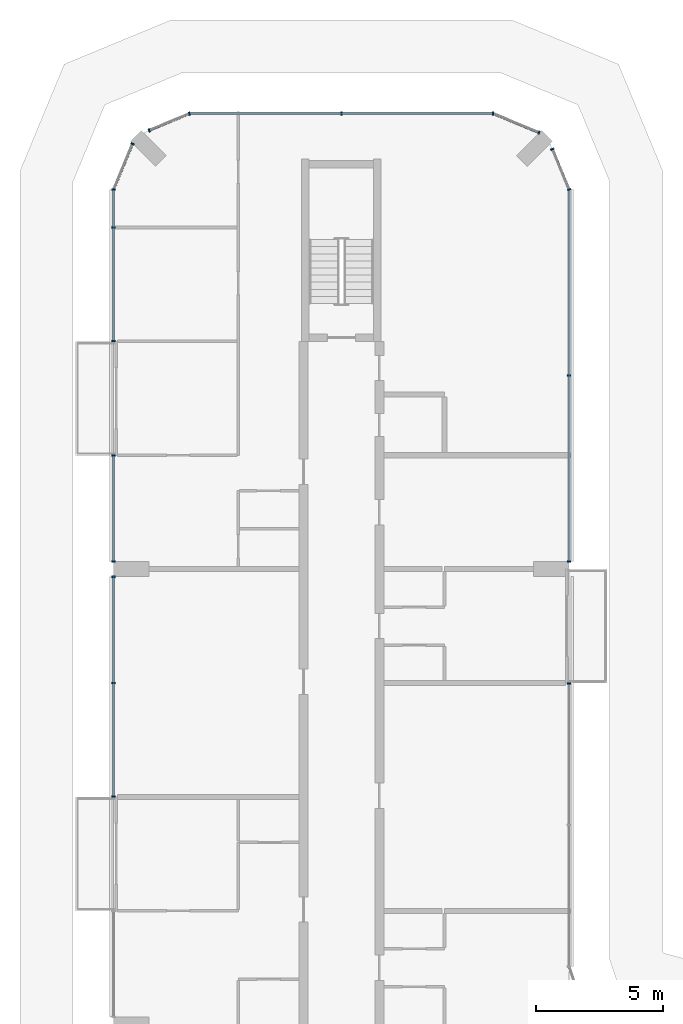
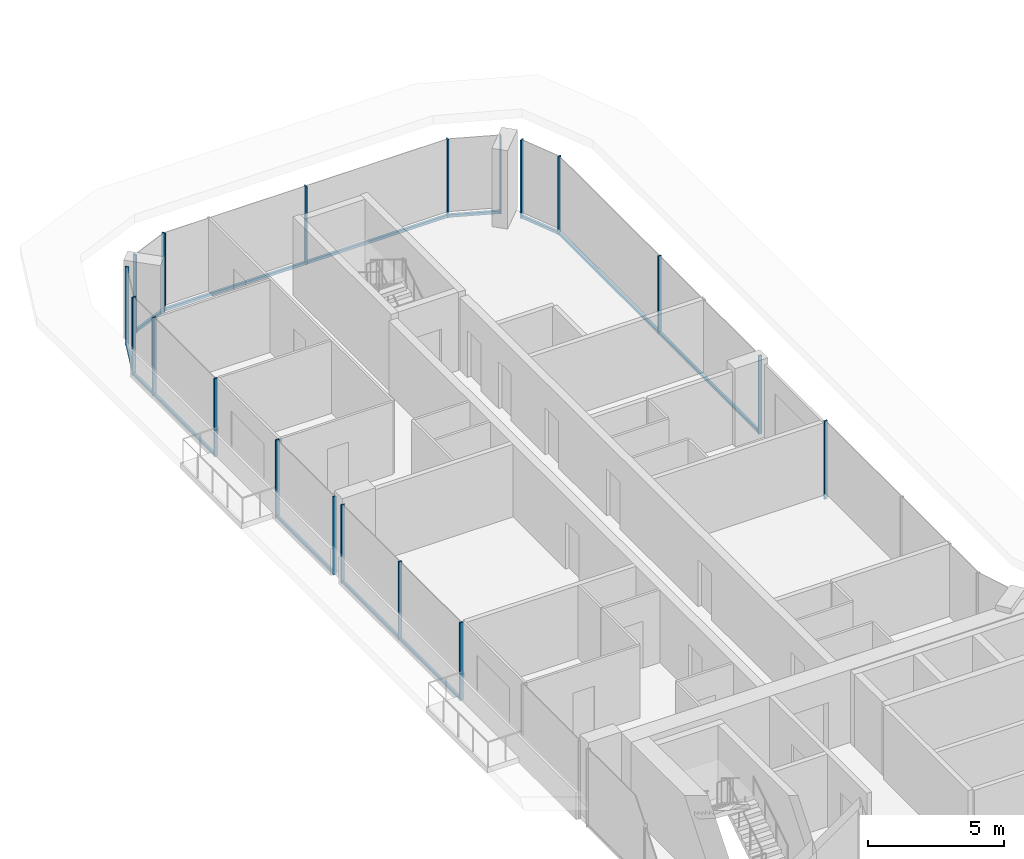
# One storey, part 6 of 24: 28 members, 10 elements without a shape of their own.
"""IFC4 building model written with IfcOpenShell, lengths in metres."""

from ifc_helpers import new_model, si_unit, direction, frame, origin, origin_2d, place, context, subcontext, project, spatial, rectangle, extrude, material, layer, layer_set, material_profile, profile_set, type_object, element, aggregate, save


model = new_model("IFC4")

# Units and contexts
model_context = context("Model", 3, precision=1e-05, world=origin(), true_north=direction((0.0, 1.0)))
body_context = subcontext(model_context, "Body", "Model", "MODEL_VIEW")
ifc_project = project(units=[si_unit("LENGTHUNIT", "METRE"), si_unit("AREAUNIT", "SQUARE_METRE"), si_unit("VOLUMEUNIT", "CUBIC_METRE"), si_unit("PLANEANGLEUNIT", "RADIAN"), si_unit("MASSUNIT", "GRAM", prefix="KILO")], contexts=[model_context])

# Site, building, storey
site_placement = place(None, origin())
site = spatial("IfcSite", under=ifc_project, at=site_placement, CompositionType="ELEMENT")
building_placement = place(site_placement, origin())
building = spatial("IfcBuilding", under=site, at=building_placement, Name="Plateau Cross Towers", CompositionType="ELEMENT")
storey_placement = place(building_placement, frame((0.0, 0.0, 30.300048828125)))
storey = spatial("IfcBuildingStorey", under=building, at=storey_placement, Name="L06", CompositionType="ELEMENT", Elevation=30.300048828125)

# Curtain wall, member
ifc_material_1 = material(Name="Dark low-iron glass", Category="glass")
ifc_layer = layer(ifc_material_1, 0.239990234375)
ifc_layer_set = layer_set([ifc_layer], Name="Dark low-iron glass")
curtain_wall_type = type_object("IfcCurtainWallType", Name="Curtain wall flush unitised CW-B", PredefinedType="NOTDEFINED", material=ifc_layer_set)
curtain_wall_1_placement = place(storey_placement, origin())
curtain_wall_1 = element("IfcCurtainWall", 1, at=curtain_wall_1_placement, inside=storey, type_object=curtain_wall_type, Name="ENV/A/L06/A180_203", PredefinedType="NOTDEFINED")
ifc_material_2 = material(Name="Black anodised aluminium", Category="aluminium")
ifc_material_profile_1 = material_profile(ifc_material_2, rectangle(XDim=0.06005859375, YDim=0.139892578125, at=origin_2d()), Name="MULLION 60x140")
ifc_profile_set_1 = profile_set([ifc_material_profile_1], Name="Black anodised aluminium")
member_type_1 = type_object("IfcMemberType", Name="Mullion 60x140 flush unitised", PredefinedType="MULLION", material=ifc_profile_set_1)
member_1_placement = place(storey_placement, frame((18.0, 31.489990234375, -0.25), z_axis=(0.0, 0.0, 1.0), x_axis=(0.0, 1.0, 0.0)))
member_1 = element("IfcMember", 2, at=member_1_placement, type_object=member_type_1, Name="CW-B mullion 3", PredefinedType="MULLION", context=body_context, shape_type="SweptSolid", body=[
    extrude(rectangle(XDim=0.06005859375, YDim=0.139892578125, at=origin_2d()), origin(), (0.0, 0.0, 1.0), 3.5),
])
aggregate(curtain_wall_1, [member_1])

# Curtain wall, members
curtain_wall_2_placement = place(storey_placement, origin())
curtain_wall_2 = element("IfcCurtainWall", 3, at=curtain_wall_2_placement, inside=storey, type_object=curtain_wall_type, Name="ENV/A/L06/A180_363", PredefinedType="NOTDEFINED")
member_2_placement = place(storey_placement, frame((18.0, 36.300048828125, -0.25), z_axis=(0.0, 0.0, 1.0), x_axis=(0.0, 1.0, 0.0)))
member_2 = element("IfcMember", 4, at=member_2_placement, type_object=member_type_1, Name="CW-B mullion 1", PredefinedType="MULLION", context=body_context, shape_type="SweptSolid", body=[
    extrude(rectangle(XDim=0.06005859375, YDim=0.139892578125, at=origin_2d()), origin(), (0.0, 0.0, 1.0), 3.5),
])
member_3_placement = place(storey_placement, frame((18.0, 43.64990234375, -0.25), z_axis=(0.0, 0.0, 1.0), x_axis=(0.0, 1.0, 0.0)))
member_3 = element("IfcMember", 5, at=member_3_placement, type_object=member_type_1, Name="CW-B mullion 2", PredefinedType="MULLION", context=body_context, shape_type="SweptSolid", body=[
    extrude(rectangle(XDim=0.06005859375, YDim=0.139892578125, at=origin_2d()), origin(), (0.0, 0.0, 1.0), 3.5),
])

curtain_wall_3_placement = place(storey_placement, origin())
curtain_wall_3 = element("IfcCurtainWall", 6, at=curtain_wall_3_placement, inside=storey, type_object=curtain_wall_type, Name="ENV/A/L06/A180_510", PredefinedType="NOTDEFINED")
member_4_placement = place(storey_placement, frame((18.0, 51.0, -0.25), z_axis=(0.0, 0.0, 1.0), x_axis=(-0.382683612978, 0.923879457699, 0.0)))
member_4 = element("IfcMember", 7, at=member_4_placement, type_object=member_type_1, Name="CW-B mullion 1", PredefinedType="MULLION", context=body_context, shape_type="SweptSolid", body=[
    extrude(rectangle(XDim=0.06005859375, YDim=0.139892578125, at=origin_2d()), origin(), (0.0, 0.0, 1.0), 3.5),
])
member_5_placement = place(storey_placement, frame((17.338623046875, 52.5966796875, -0.25), z_axis=(0.0, 0.0, 1.0), x_axis=(-0.382683612978, 0.923879457699, 0.0)))
member_5 = element("IfcMember", 8, at=member_5_placement, type_object=member_type_1, Name="CW-B mullion 2", PredefinedType="MULLION", context=body_context, shape_type="SweptSolid", body=[
    extrude(rectangle(XDim=0.06005859375, YDim=0.139892578125, at=origin_2d()), origin(), (0.0, 0.0, 1.0), 3.5),
])

# Curtain wall, member
curtain_wall_4_placement = place(storey_placement, origin())
curtain_wall_4 = element("IfcCurtainWall", 9, at=curtain_wall_4_placement, inside=storey, type_object=curtain_wall_type, Name="ENV/A/L06/A168_533", PredefinedType="NOTDEFINED")
member_6_placement = place(storey_placement, frame((16.805908203125, 53.251953125, -0.25), z_axis=(0.0, 0.0, 1.0), x_axis=(-0.923879457699, 0.382683612978, 0.0)))
member_6 = element("IfcMember", 10, at=member_6_placement, type_object=member_type_1, Name="CW-B mullion 1", PredefinedType="MULLION", context=body_context, shape_type="SweptSolid", body=[
    extrude(rectangle(XDim=0.06005859375, YDim=0.139892578125, at=origin_2d()), origin(), (0.0, 0.0, 1.0), 3.5),
])

# Curtain wall, members
curtain_wall_5_placement = place(storey_placement, origin())
curtain_wall_5 = element("IfcCurtainWall", 11, at=curtain_wall_5_placement, inside=storey, type_object=curtain_wall_type, Name="ENV/A/L06/A150_540", PredefinedType="NOTDEFINED")
member_7_placement = place(storey_placement, frame((15.0, 54.0, -0.25), z_axis=(0.0, 0.0, 1.0), x_axis=(-1.0, 0.0, 0.0)))
member_7 = element("IfcMember", 12, at=member_7_placement, type_object=member_type_1, Name="CW-B mullion 1", PredefinedType="MULLION", context=body_context, shape_type="SweptSolid", body=[
    extrude(rectangle(XDim=0.06005859375, YDim=0.139892578125, at=origin_2d()), origin(), (0.0, 0.0, 1.0), 3.5),
])
member_8_placement = place(storey_placement, frame((9.0, 54.0, -0.25), z_axis=(0.0, 0.0, 1.0), x_axis=(-1.0, 0.0, 0.0)))
member_8 = element("IfcMember", 13, at=member_8_placement, type_object=member_type_1, Name="CW-B mullion 2", PredefinedType="MULLION", context=body_context, shape_type="SweptSolid", body=[
    extrude(rectangle(XDim=0.06005859375, YDim=0.139892578125, at=origin_2d()), origin(), (0.0, 0.0, 1.0), 3.5),
])

curtain_wall_6_placement = place(storey_placement, origin())
curtain_wall_6 = element("IfcCurtainWall", 14, at=curtain_wall_6_placement, inside=storey, type_object=curtain_wall_type, Name="ENV/A/L06/A30_540", PredefinedType="NOTDEFINED")
member_9_placement = place(storey_placement, frame((3.0, 54.0, -0.25), z_axis=(0.0, 0.0, 1.0), x_axis=(-0.923879457699, -0.382683612978, 0.0)))
member_9 = element("IfcMember", 15, at=member_9_placement, type_object=member_type_1, Name="CW-B mullion 1", PredefinedType="MULLION", context=body_context, shape_type="SweptSolid", body=[
    extrude(rectangle(XDim=0.06005859375, YDim=0.139892578125, at=origin_2d()), origin(), (0.0, 0.0, 1.0), 3.5),
])
member_10_placement = place(storey_placement, frame((1.4033203125, 53.338623046875, -0.25), z_axis=(0.0, 0.0, 1.0), x_axis=(-0.923879457699, -0.382683612978, 0.0)))
member_10 = element("IfcMember", 16, at=member_10_placement, type_object=member_type_1, Name="CW-B mullion 2", PredefinedType="MULLION", context=body_context, shape_type="SweptSolid", body=[
    extrude(rectangle(XDim=0.06005859375, YDim=0.139892578125, at=origin_2d()), origin(), (0.0, 0.0, 1.0), 3.5),
])

# Curtain wall, member
curtain_wall_7_placement = place(storey_placement, origin())
curtain_wall_7 = element("IfcCurtainWall", 17, at=curtain_wall_7_placement, inside=storey, type_object=curtain_wall_type, Name="ENV/A/L06/A7_528", PredefinedType="NOTDEFINED")
member_11_placement = place(storey_placement, frame((0.748046875, 52.805908203125, -0.25), z_axis=(0.0, 0.0, 1.0), x_axis=(-0.382683612978, -0.923879457699, 0.0)))
member_11 = element("IfcMember", 18, at=member_11_placement, type_object=member_type_1, Name="CW-B mullion 1", PredefinedType="MULLION", context=body_context, shape_type="SweptSolid", body=[
    extrude(rectangle(XDim=0.06005859375, YDim=0.139892578125, at=origin_2d()), origin(), (0.0, 0.0, 1.0), 3.5),
])

# Curtain wall, members
curtain_wall_8_placement = place(storey_placement, origin())
curtain_wall_8 = element("IfcCurtainWall", 19, at=curtain_wall_8_placement, inside=storey, type_object=curtain_wall_type, Name="ENV/A/L06/A0_510", PredefinedType="NOTDEFINED")
member_12_placement = place(storey_placement, frame((0.0, 51.0, -0.25), z_axis=(0.0, 0.0, 1.0), x_axis=(0.0, -1.0, 0.0)))
member_12 = element("IfcMember", 20, at=member_12_placement, type_object=member_type_1, Name="CW-B mullion 1", PredefinedType="MULLION", context=body_context, shape_type="SweptSolid", body=[
    extrude(rectangle(XDim=0.06005859375, YDim=0.139892578125, at=origin_2d()), origin(), (0.0, 0.0, 1.0), 3.5),
])
member_13_placement = place(storey_placement, frame((0.0, 49.5, -0.25), z_axis=(0.0, 0.0, 1.0), x_axis=(0.0, -1.0, 0.0)))
member_13 = element("IfcMember", 21, at=member_13_placement, type_object=member_type_1, Name="CW-B mullion 2", PredefinedType="MULLION", context=body_context, shape_type="SweptSolid", body=[
    extrude(rectangle(XDim=0.06005859375, YDim=0.139892578125, at=origin_2d()), origin(), (0.0, 0.0, 1.0), 3.5),
])
member_14_placement = place(storey_placement, frame((0.0, 45.010009765625, -0.25), z_axis=(0.0, 0.0, 1.0), x_axis=(0.0, -1.0, 0.0)))
member_14 = element("IfcMember", 22, at=member_14_placement, type_object=member_type_1, Name="CW-B mullion 3", PredefinedType="MULLION", context=body_context, shape_type="SweptSolid", body=[
    extrude(rectangle(XDim=0.06005859375, YDim=0.139892578125, at=origin_2d()), origin(), (0.0, 0.0, 1.0), 3.5),
])

curtain_wall_9_placement = place(storey_placement, origin())
curtain_wall_9 = element("IfcCurtainWall", 23, at=curtain_wall_9_placement, inside=storey, type_object=curtain_wall_type, Name="ENV/A/L06/A0_405", PredefinedType="NOTDEFINED")
member_15_placement = place(storey_placement, frame((0.0, 40.489990234375, -0.25), z_axis=(0.0, 0.0, 1.0), x_axis=(0.0, -1.0, 0.0)))
member_15 = element("IfcMember", 24, at=member_15_placement, type_object=member_type_1, Name="CW-B mullion 1", PredefinedType="MULLION", context=body_context, shape_type="SweptSolid", body=[
    extrude(rectangle(XDim=0.06005859375, YDim=0.139892578125, at=origin_2d()), origin(), (0.0, 0.0, 1.0), 3.5),
])
member_16_placement = place(storey_placement, frame((0.0, 36.300048828125, -0.25), z_axis=(0.0, 0.0, 1.0), x_axis=(0.0, -1.0, 0.0)))
member_16 = element("IfcMember", 25, at=member_16_placement, type_object=member_type_1, Name="CW-B mullion 2", PredefinedType="MULLION", context=body_context, shape_type="SweptSolid", body=[
    extrude(rectangle(XDim=0.06005859375, YDim=0.139892578125, at=origin_2d()), origin(), (0.0, 0.0, 1.0), 3.5),
])

curtain_wall_10_placement = place(storey_placement, origin())
curtain_wall_10 = element("IfcCurtainWall", 26, at=curtain_wall_10_placement, inside=storey, type_object=curtain_wall_type, Name="ENV/A/L06/A0_357", PredefinedType="NOTDEFINED")
member_17_placement = place(storey_placement, frame((0.0, 35.699951171875, -0.25), z_axis=(0.0, 0.0, 1.0), x_axis=(0.0, -1.0, 0.0)))
member_17 = element("IfcMember", 27, at=member_17_placement, type_object=member_type_1, Name="CW-B mullion 1", PredefinedType="MULLION", context=body_context, shape_type="SweptSolid", body=[
    extrude(rectangle(XDim=0.06005859375, YDim=0.139892578125, at=origin_2d()), origin(), (0.0, 0.0, 1.0), 3.5),
])
member_18_placement = place(storey_placement, frame((0.0, 31.5, -0.25), z_axis=(0.0, 0.0, 1.0), x_axis=(0.0, -1.0, 0.0)))
member_18 = element("IfcMember", 28, at=member_18_placement, type_object=member_type_1, Name="CW-B mullion 2", PredefinedType="MULLION", context=body_context, shape_type="SweptSolid", body=[
    extrude(rectangle(XDim=0.06005859375, YDim=0.139892578125, at=origin_2d()), origin(), (0.0, 0.0, 1.0), 3.5),
])
member_19_placement = place(storey_placement, frame((0.0, 27.010009765625, -0.25), z_axis=(0.0, 0.0, 1.0), x_axis=(0.0, -1.0, 0.0)))
member_19 = element("IfcMember", 29, at=member_19_placement, type_object=member_type_1, Name="CW-B mullion 3", PredefinedType="MULLION", context=body_context, shape_type="SweptSolid", body=[
    extrude(rectangle(XDim=0.06005859375, YDim=0.139892578125, at=origin_2d()), origin(), (0.0, 0.0, 1.0), 3.5),
])

# Member
ifc_material_profile_2 = material_profile(ifc_material_2, rectangle(XDim=0.10009765625, YDim=0.1201171875, at=origin_2d()), Name="TRANSOM 100x120")
ifc_profile_set_2 = profile_set([ifc_material_profile_2], Name="Black anodised aluminium")
member_type_2 = type_object("IfcMemberType", Name="Transom 100x120 flush unitised", PredefinedType="USERDEFINED", material=ifc_profile_set_2)
member_20_placement = place(storey_placement, frame((18.0, 36.300048828125, -0.18994140625), z_axis=(0.0, 1.0, 0.0), x_axis=(-1.0, 0.0, 0.0)))
member_20 = element("IfcMember", 30, at=member_20_placement, type_object=member_type_2, Name="CW-B transom", ObjectType="TRANSOM", PredefinedType="USERDEFINED", context=body_context, shape_type="SweptSolid", body=[
    extrude(rectangle(XDim=0.10009765625, YDim=0.1201171875, at=origin_2d()), origin(), (0.0, 0.0, 1.0), 14.699951171875),
])

aggregate(curtain_wall_2, [member_2, member_3, member_20])

member_21_placement = place(storey_placement, frame((18.0, 51.0, -0.18994140625), z_axis=(-0.382688653628, 0.923877369776, 0.0), x_axis=(-0.923877369776, -0.382688653628, 0.0)))
member_21 = element("IfcMember", 31, at=member_21_placement, type_object=member_type_2, Name="CW-B transom", ObjectType="TRANSOM", PredefinedType="USERDEFINED", context=body_context, shape_type="SweptSolid", body=[
    extrude(rectangle(XDim=0.10009765625, YDim=0.1201171875, at=origin_2d()), origin(), (0.0, 0.0, 1.0), 1.728271484375),
])

aggregate(curtain_wall_3, [member_4, member_5, member_21])

member_22_placement = place(storey_placement, frame((16.805908203125, 53.251953125, -0.18994140625), z_axis=(-0.92387678234, 0.382690071798, 0.0), x_axis=(-0.382690071798, -0.92387678234, 0.0)))
member_22 = element("IfcMember", 32, at=member_22_placement, type_object=member_type_2, Name="CW-B transom", ObjectType="TRANSOM", PredefinedType="USERDEFINED", context=body_context, shape_type="SweptSolid", body=[
    extrude(rectangle(XDim=0.10009765625, YDim=0.1201171875, at=origin_2d()), origin(), (0.0, 0.0, 1.0), 1.95458984375),
])

aggregate(curtain_wall_4, [member_6, member_22])

member_23_placement = place(storey_placement, frame((15.0, 54.0, -0.18994140625), z_axis=(-1.0, 0.0, 0.0), x_axis=(0.0, -1.0, 0.0)))
member_23 = element("IfcMember", 33, at=member_23_placement, type_object=member_type_2, Name="CW-B transom", ObjectType="TRANSOM", PredefinedType="USERDEFINED", context=body_context, shape_type="SweptSolid", body=[
    extrude(rectangle(XDim=0.10009765625, YDim=0.1201171875, at=origin_2d()), origin(), (0.0, 0.0, 1.0), 12.0),
])

aggregate(curtain_wall_5, [member_7, member_8, member_23])

member_24_placement = place(storey_placement, frame((3.0, 54.0, -0.18994140625), z_axis=(-0.923877369776, -0.382688653628, 0.0), x_axis=(0.382688653628, -0.923877369776, 0.0)))
member_24 = element("IfcMember", 34, at=member_24_placement, type_object=member_type_2, Name="CW-B transom", ObjectType="TRANSOM", PredefinedType="USERDEFINED", context=body_context, shape_type="SweptSolid", body=[
    extrude(rectangle(XDim=0.10009765625, YDim=0.1201171875, at=origin_2d()), origin(), (0.0, 0.0, 1.0), 1.728271484375),
])

aggregate(curtain_wall_6, [member_9, member_10, member_24])

member_25_placement = place(storey_placement, frame((0.748046875, 52.805908203125, -0.18994140625), z_axis=(-0.382690071798, -0.92387678234, 0.0), x_axis=(0.92387678234, -0.382690071798, 0.0)))
member_25 = element("IfcMember", 35, at=member_25_placement, type_object=member_type_2, Name="CW-B transom", ObjectType="TRANSOM", PredefinedType="USERDEFINED", context=body_context, shape_type="SweptSolid", body=[
    extrude(rectangle(XDim=0.10009765625, YDim=0.1201171875, at=origin_2d()), origin(), (0.0, 0.0, 1.0), 1.95458984375),
])

aggregate(curtain_wall_7, [member_11, member_25])

member_26_placement = place(storey_placement, frame((0.0, 51.0, -0.18994140625), z_axis=(0.0, -1.0, 0.0), x_axis=(1.0, 0.0, 0.0)))
member_26 = element("IfcMember", 36, at=member_26_placement, type_object=member_type_2, Name="CW-B transom", ObjectType="TRANSOM", PredefinedType="USERDEFINED", context=body_context, shape_type="SweptSolid", body=[
    extrude(rectangle(XDim=0.10009765625, YDim=0.1201171875, at=origin_2d()), origin(), (0.0, 0.0, 1.0), 5.989990234375),
])

aggregate(curtain_wall_8, [member_12, member_13, member_14, member_26])

member_27_placement = place(storey_placement, frame((0.0, 40.489990234375, -0.18994140625), z_axis=(0.0, -1.0, 0.0), x_axis=(1.0, 0.0, 0.0)))
member_27 = element("IfcMember", 37, at=member_27_placement, type_object=member_type_2, Name="CW-B transom", ObjectType="TRANSOM", PredefinedType="USERDEFINED", context=body_context, shape_type="SweptSolid", body=[
    extrude(rectangle(XDim=0.10009765625, YDim=0.1201171875, at=origin_2d()), origin(), (0.0, 0.0, 1.0), 4.18994140625),
])

aggregate(curtain_wall_9, [member_15, member_16, member_27])

member_28_placement = place(storey_placement, frame((0.0, 35.699951171875, -0.18994140625), z_axis=(0.0, -1.0, 0.0), x_axis=(1.0, 0.0, 0.0)))
member_28 = element("IfcMember", 38, at=member_28_placement, type_object=member_type_2, Name="CW-B transom", ObjectType="TRANSOM", PredefinedType="USERDEFINED", context=body_context, shape_type="SweptSolid", body=[
    extrude(rectangle(XDim=0.10009765625, YDim=0.1201171875, at=origin_2d()), origin(), (0.0, 0.0, 1.0), 8.68994140625),
])

aggregate(curtain_wall_10, [member_17, member_18, member_19, member_28])

save(model, "model.ifc")
